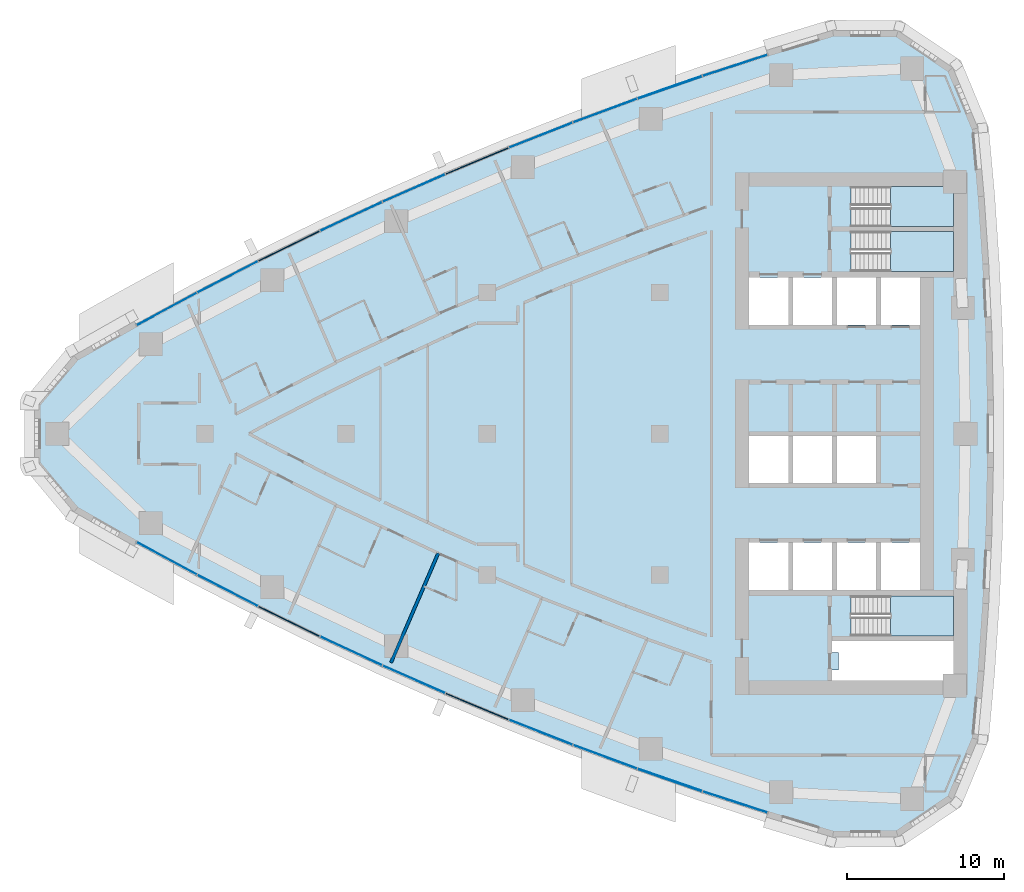
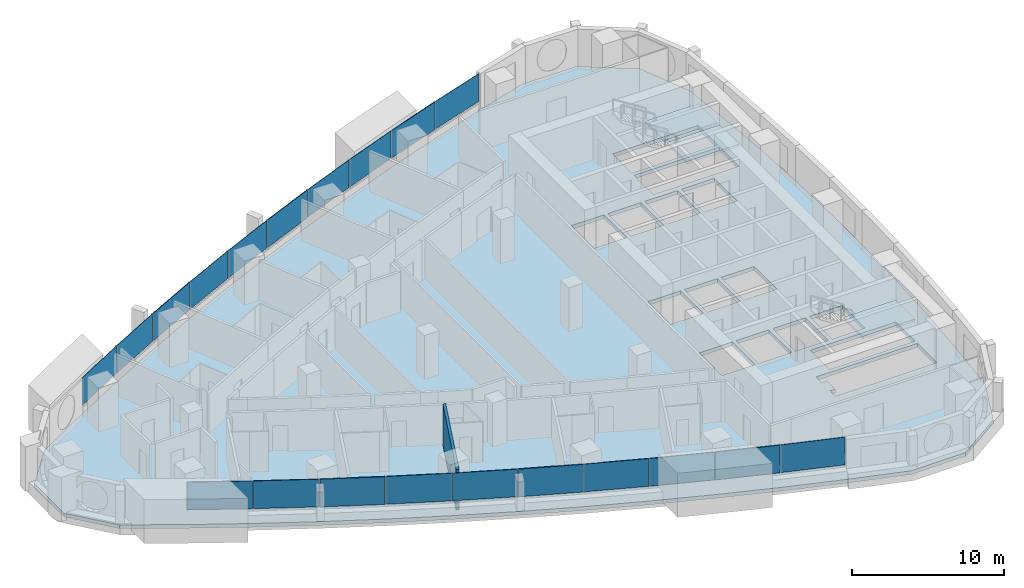
# One storey, part 7 of 17: 20 plates, 4 slabs, 1 wall, 1 opening, 13 elements without a shape of their own.
"""IFC4 building model written with IfcOpenShell, lengths in metres."""

from ifc_helpers import new_model, si_unit, direction, frame, frame_2d, origin, origin_2d, place, context, subcontext, project, spatial, polyline, rectangle, outline, extrude, material, layer, layer_set, type_object, element, aggregate, save


model = new_model("IFC4")

# Units and contexts
model_context = context("Model", 3, precision=1e-05, world=origin(), true_north=direction((0.0, 1.0)))
body_context = subcontext(model_context, "Body", "Model", "MODEL_VIEW")
ifc_project = project(units=[si_unit("LENGTHUNIT", "METRE"), si_unit("AREAUNIT", "SQUARE_METRE"), si_unit("VOLUMEUNIT", "CUBIC_METRE"), si_unit("PLANEANGLEUNIT", "RADIAN"), si_unit("MASSUNIT", "GRAM", prefix="KILO")], contexts=[model_context])

# Site, building, storey
site_placement = place(None, origin())
site = spatial("IfcSite", under=ifc_project, at=site_placement, CompositionType="ELEMENT")
building_placement = place(site_placement, origin())
building = spatial("IfcBuilding", under=site, at=building_placement, Name="Ostrand Prow Hotel Tower", CompositionType="ELEMENT")
storey_placement = place(building_placement, frame((0.0, 0.0, 137.300048828125)))
storey = spatial("IfcBuildingStorey", under=building, at=storey_placement, Name="L33", CompositionType="ELEMENT", Elevation=137.300048828125)

# Curtain wall, plates
ifc_material_1 = material(Name="Insulated glass in bronze anodised frame", Category="glass")
ifc_layer_1 = layer(ifc_material_1, 0.199951171875)
ifc_layer_set_1 = layer_set([ifc_layer_1], Name="Insulated glass in bronze anodised frame")
curtain_wall_type = type_object("IfcCurtainWallType", Name="Strip curtain wall, fritted glass over bronze spandrel", PredefinedType="NOTDEFINED", material=ifc_layer_set_1)
curtain_wall_1_placement = place(storey_placement, origin())
curtain_wall_1 = element("IfcCurtainWall", 1, at=curtain_wall_1_placement, inside=storey, type_object=curtain_wall_type, Name="CW1 run CWS1", PredefinedType="NOTDEFINED")
ifc_material_2 = material(Name="Ceramic-fritted glass", Category="glass")
ifc_layer_2 = layer(ifc_material_2, 0.031982421875)
ifc_layer_set_2 = layer_set([ifc_layer_2], Name="Ceramic-fritted glass")
plate_type_1 = type_object("IfcPlateType", Name="Dot-fritted ceramic glass unit 32 mm", PredefinedType="CURTAIN_PANEL", material=ifc_layer_set_2)
plate_1_placement = place(storey_placement, frame((13.572509765625, -7.951904296875, 1.02001953125), z_axis=(0.0, 0.0, 1.0), x_axis=(0.879773060847, -0.475393901316, 0.0)))
plate_1 = element("IfcPlate", 2, at=plate_1_placement, type_object=plate_type_1, Name="CW1 PN-D panel 1.2", PredefinedType="CURTAIN_PANEL", context=body_context, shape_type="SweptSolid", body=[
    extrude(rectangle(XDim=4.326171875, YDim=0.031982421875, at=origin_2d()), origin(), (0.0, 0.0, 1.0), 2.22998046875),
])
plate_2_placement = place(storey_placement, frame((17.45166015625, -9.998046875, 1.02001953125), z_axis=(0.0, 0.0, 1.0), x_axis=(0.889148164146, -0.457619429434, 0.0)))
plate_2 = element("IfcPlate", 3, at=plate_2_placement, type_object=plate_type_1, Name="CW1 PN-D panel 2.2", PredefinedType="CURTAIN_PANEL", context=body_context, shape_type="SweptSolid", body=[
    extrude(rectangle(XDim=4.326171875, YDim=0.031982421875, at=origin_2d()), origin(), (0.0, 0.0, 1.0), 2.22998046875),
])
aggregate(curtain_wall_1, [plate_1, plate_2])

# Curtain wall, plate
curtain_wall_2_placement = place(storey_placement, origin())
curtain_wall_2 = element("IfcCurtainWall", 4, at=curtain_wall_2_placement, inside=storey, type_object=curtain_wall_type, Name="CW1 run CWS2", PredefinedType="NOTDEFINED")
plate_3_placement = place(storey_placement, frame((25.329833984375, -13.8544921875, 1.02001953125), z_axis=(0.0, 0.0, 1.0), x_axis=(0.906818286337, -0.421521761673, 0.0)))
plate_3 = element("IfcPlate", 5, at=plate_3_placement, type_object=plate_type_1, Name="CW1 PN-D panel 2.2", PredefinedType="CURTAIN_PANEL", context=body_context, shape_type="SweptSolid", body=[
    extrude(rectangle(XDim=4.326171875, YDim=0.031982421875, at=origin_2d()), origin(), (0.0, 0.0, 1.0), 2.22998046875),
])

curtain_wall_3_placement = place(storey_placement, origin())
curtain_wall_3 = element("IfcCurtainWall", 6, at=curtain_wall_3_placement, inside=storey, type_object=curtain_wall_type, Name="CW1 run CWS3", PredefinedType="NOTDEFINED")
plate_4_placement = place(storey_placement, frame((29.3251953125, -15.6630859375, 1.02001953125), z_axis=(0.0, 0.0, 1.0), x_axis=(0.915106105993, -0.403213113347, 0.0)))
plate_4 = element("IfcPlate", 7, at=plate_4_placement, type_object=plate_type_1, Name="CW1 PN-D panel 1.2", PredefinedType="CURTAIN_PANEL", context=body_context, shape_type="SweptSolid", body=[
    extrude(rectangle(XDim=4.326171875, YDim=0.031982421875, at=origin_2d()), origin(), (0.0, 0.0, 1.0), 2.22998046875),
])

# Curtain wall, plates
curtain_wall_4_placement = place(storey_placement, origin())
curtain_wall_4 = element("IfcCurtainWall", 8, at=curtain_wall_4_placement, inside=storey, type_object=curtain_wall_type, Name="CW1 run CWS4", PredefinedType="NOTDEFINED")
plate_5_placement = place(storey_placement, frame((37.42138671875, -19.037841796875, 1.02001953125), z_axis=(0.0, 0.0, 1.0), x_axis=(0.930569089059, -0.366116334636, 0.0)))
plate_5 = element("IfcPlate", 9, at=plate_5_placement, type_object=plate_type_1, Name="CW1 PN-D panel 1.2", PredefinedType="CURTAIN_PANEL", context=body_context, shape_type="SweptSolid", body=[
    extrude(rectangle(XDim=4.326171875, YDim=0.031982421875, at=origin_2d()), origin(), (0.0, 0.0, 1.0), 2.22998046875),
])
plate_6_placement = place(storey_placement, frame((41.518798828125, -20.6025390625, 1.02001953125), z_axis=(0.0, 0.0, 1.0), x_axis=(0.937738678558, -0.347341576459, 0.0)))
plate_6 = element("IfcPlate", 10, at=plate_6_placement, type_object=plate_type_1, Name="CW1 PN-D panel 2.2", PredefinedType="CURTAIN_PANEL", context=body_context, shape_type="SweptSolid", body=[
    extrude(rectangle(XDim=4.326171875, YDim=0.031982421875, at=origin_2d()), origin(), (0.0, 0.0, 1.0), 2.22998046875),
])
aggregate(curtain_wall_4, [plate_5, plate_6])

# Curtain wall, plate
curtain_wall_5_placement = place(storey_placement, origin())
curtain_wall_5 = element("IfcCurtainWall", 11, at=curtain_wall_5_placement, inside=storey, type_object=curtain_wall_type, Name="CW1 run CWS5", PredefinedType="NOTDEFINED")
plate_7_placement = place(storey_placement, frame((49.803466796875, -23.483154296875, 1.02001953125), z_axis=(0.0, 0.0, 1.0), x_axis=(0.950938332153, -0.309380491373, 0.0)))
plate_7 = element("IfcPlate", 12, at=plate_7_placement, type_object=plate_type_1, Name="CW1 PN-D panel 2.2", PredefinedType="CURTAIN_PANEL", context=body_context, shape_type="SweptSolid", body=[
    extrude(rectangle(XDim=4.326171875, YDim=0.031982421875, at=origin_2d()), origin(), (0.0, 0.0, 1.0), 2.22998046875),
])

curtain_wall_6_placement = place(storey_placement, origin())
curtain_wall_6 = element("IfcCurtainWall", 13, at=curtain_wall_6_placement, inside=storey, type_object=curtain_wall_type, Name="CW1 run CWN1", PredefinedType="NOTDEFINED")
plate_8_placement = place(storey_placement, frame((49.803466796875, 23.483154296875, 1.02001953125), z_axis=(0.0, 0.0, 1.0), x_axis=(-0.950938332153, -0.309380491373, 0.0)))
plate_8 = element("IfcPlate", 14, at=plate_8_placement, type_object=plate_type_1, Name="CW1 PN-D panel 1.2", PredefinedType="CURTAIN_PANEL", context=body_context, shape_type="SweptSolid", body=[
    extrude(rectangle(XDim=4.326171875, YDim=0.031982421875, at=origin_2d()), origin(), (0.0, 0.0, 1.0), 2.22998046875),
])

# Curtain wall, plates
curtain_wall_7_placement = place(storey_placement, origin())
curtain_wall_7 = element("IfcCurtainWall", 15, at=curtain_wall_7_placement, inside=storey, type_object=curtain_wall_type, Name="CW1 run CWN2", PredefinedType="NOTDEFINED")
plate_9_placement = place(storey_placement, frame((41.518798828125, 20.6025390625, 1.02001953125), z_axis=(0.0, 0.0, 1.0), x_axis=(-0.937738678558, -0.347341576459, 0.0)))
plate_9 = element("IfcPlate", 16, at=plate_9_placement, type_object=plate_type_1, Name="CW1 PN-D panel 1.2", PredefinedType="CURTAIN_PANEL", context=body_context, shape_type="SweptSolid", body=[
    extrude(rectangle(XDim=4.326171875, YDim=0.031982421875, at=origin_2d()), origin(), (0.0, 0.0, 1.0), 2.22998046875),
])
plate_10_placement = place(storey_placement, frame((37.42138671875, 19.037841796875, 1.02001953125), z_axis=(0.0, 0.0, 1.0), x_axis=(-0.930569089059, -0.366116334636, 0.0)))
plate_10 = element("IfcPlate", 17, at=plate_10_placement, type_object=plate_type_1, Name="CW1 PN-D panel 2.2", PredefinedType="CURTAIN_PANEL", context=body_context, shape_type="SweptSolid", body=[
    extrude(rectangle(XDim=4.326171875, YDim=0.031982421875, at=origin_2d()), origin(), (0.0, 0.0, 1.0), 2.22998046875),
])
aggregate(curtain_wall_7, [plate_9, plate_10])

# Curtain wall, plate
curtain_wall_8_placement = place(storey_placement, origin())
curtain_wall_8 = element("IfcCurtainWall", 18, at=curtain_wall_8_placement, inside=storey, type_object=curtain_wall_type, Name="CW1 run CWN3", PredefinedType="NOTDEFINED")
plate_11_placement = place(storey_placement, frame((29.3251953125, 15.6630859375, 1.02001953125), z_axis=(0.0, 0.0, 1.0), x_axis=(-0.915106105993, -0.403213113347, 0.0)))
plate_11 = element("IfcPlate", 19, at=plate_11_placement, type_object=plate_type_1, Name="CW1 PN-D panel 2.2", PredefinedType="CURTAIN_PANEL", context=body_context, shape_type="SweptSolid", body=[
    extrude(rectangle(XDim=4.326171875, YDim=0.031982421875, at=origin_2d()), origin(), (0.0, 0.0, 1.0), 2.22998046875),
])

curtain_wall_9_placement = place(storey_placement, origin())
curtain_wall_9 = element("IfcCurtainWall", 20, at=curtain_wall_9_placement, inside=storey, type_object=curtain_wall_type, Name="CW1 run CWN4", PredefinedType="NOTDEFINED")
plate_12_placement = place(storey_placement, frame((25.329833984375, 13.8544921875, 1.02001953125), z_axis=(0.0, 0.0, 1.0), x_axis=(-0.906818286337, -0.421521761673, 0.0)))
plate_12 = element("IfcPlate", 21, at=plate_12_placement, type_object=plate_type_1, Name="CW1 PN-D panel 1.2", PredefinedType="CURTAIN_PANEL", context=body_context, shape_type="SweptSolid", body=[
    extrude(rectangle(XDim=4.326171875, YDim=0.031982421875, at=origin_2d()), origin(), (0.0, 0.0, 1.0), 2.22998046875),
])

# Curtain wall, plates
curtain_wall_10_placement = place(storey_placement, origin())
curtain_wall_10 = element("IfcCurtainWall", 22, at=curtain_wall_10_placement, inside=storey, type_object=curtain_wall_type, Name="CW1 run CWN5", PredefinedType="NOTDEFINED")
plate_13_placement = place(storey_placement, frame((17.45166015625, 9.998046875, 1.02001953125), z_axis=(0.0, 0.0, 1.0), x_axis=(-0.889148164146, -0.457619429434, 0.0)))
plate_13 = element("IfcPlate", 23, at=plate_13_placement, type_object=plate_type_1, Name="CW1 PN-D panel 1.2", PredefinedType="CURTAIN_PANEL", context=body_context, shape_type="SweptSolid", body=[
    extrude(rectangle(XDim=4.326171875, YDim=0.031982421875, at=origin_2d()), origin(), (0.0, 0.0, 1.0), 2.22998046875),
])
plate_14_placement = place(storey_placement, frame((13.572509765625, 7.951904296875, 1.02001953125), z_axis=(0.0, 0.0, 1.0), x_axis=(-0.879773060847, -0.475393901316, 0.0)))
plate_14 = element("IfcPlate", 24, at=plate_14_placement, type_object=plate_type_1, Name="CW1 PN-D panel 2.2", PredefinedType="CURTAIN_PANEL", context=body_context, shape_type="SweptSolid", body=[
    extrude(rectangle(XDim=4.326171875, YDim=0.031982421875, at=origin_2d()), origin(), (0.0, 0.0, 1.0), 2.22998046875),
])
aggregate(curtain_wall_10, [plate_13, plate_14])

# Plate
ifc_material_3 = material(Name="Fritted glass in bronze vent frame", Category="glass")
ifc_layer_3 = layer(ifc_material_3, 0.06005859375)
ifc_layer_set_3 = layer_set([ifc_layer_3], Name="Fritted glass in bronze vent frame")
plate_type_2 = type_object("IfcPlateType", Name="Operable vent panel 60 mm", PredefinedType="CURTAIN_PANEL", material=ifc_layer_set_3)
plate_15_placement = place(storey_placement, frame((21.371337890625, -11.9658203125, 1.02001953125), z_axis=(0.0, 0.0, 1.0), x_axis=(0.898164975061, -0.439658592061, 0.0)))
plate_15 = element("IfcPlate", 25, at=plate_15_placement, type_object=plate_type_2, Name="CW1 PN-O panel 1.2", PredefinedType="CURTAIN_PANEL", context=body_context, shape_type="SweptSolid", body=[
    extrude(rectangle(XDim=4.326171875, YDim=0.06005859375, at=origin_2d()), origin(), (0.0, 0.0, 1.0), 2.22998046875),
])

aggregate(curtain_wall_2, [plate_15, plate_3])

plate_16_placement = place(storey_placement, frame((33.3564453125, -17.39111328125, 1.02001953125), z_axis=(0.0, 0.0, 1.0), x_axis=(0.92302364777, -0.384743220418, 0.0)))
plate_16 = element("IfcPlate", 26, at=plate_16_placement, type_object=plate_type_2, Name="CW1 PN-O panel 2.2", PredefinedType="CURTAIN_PANEL", context=body_context, shape_type="SweptSolid", body=[
    extrude(rectangle(XDim=4.326171875, YDim=0.06005859375, at=origin_2d()), origin(), (0.0, 0.0, 1.0), 2.22998046875),
])

aggregate(curtain_wall_3, [plate_4, plate_16])

plate_17_placement = place(storey_placement, frame((45.646484375, -22.08447265625, 1.02001953125), z_axis=(0.0, 0.0, 1.0), x_axis=(0.944528947293, -0.328428177424, 0.0)))
plate_17 = element("IfcPlate", 27, at=plate_17_placement, type_object=plate_type_2, Name="CW1 PN-O panel 1.2", PredefinedType="CURTAIN_PANEL", context=body_context, shape_type="SweptSolid", body=[
    extrude(rectangle(XDim=4.326171875, YDim=0.06005859375, at=origin_2d()), origin(), (0.0, 0.0, 1.0), 2.22998046875),
])

aggregate(curtain_wall_5, [plate_17, plate_7])

plate_18_placement = place(storey_placement, frame((45.646484375, 22.08447265625, 1.02001953125), z_axis=(0.0, 0.0, 1.0), x_axis=(-0.944528947293, -0.328428177424, 0.0)))
plate_18 = element("IfcPlate", 28, at=plate_18_placement, type_object=plate_type_2, Name="CW1 PN-O panel 2.2", PredefinedType="CURTAIN_PANEL", context=body_context, shape_type="SweptSolid", body=[
    extrude(rectangle(XDim=4.326171875, YDim=0.06005859375, at=origin_2d()), origin(), (0.0, 0.0, 1.0), 2.22998046875),
])

aggregate(curtain_wall_6, [plate_8, plate_18])

plate_19_placement = place(storey_placement, frame((33.3564453125, 17.39111328125, 1.02001953125), z_axis=(0.0, 0.0, 1.0), x_axis=(-0.92302364777, -0.384743220418, 0.0)))
plate_19 = element("IfcPlate", 29, at=plate_19_placement, type_object=plate_type_2, Name="CW1 PN-O panel 1.2", PredefinedType="CURTAIN_PANEL", context=body_context, shape_type="SweptSolid", body=[
    extrude(rectangle(XDim=4.326171875, YDim=0.06005859375, at=origin_2d()), origin(), (0.0, 0.0, 1.0), 2.22998046875),
])

aggregate(curtain_wall_8, [plate_19, plate_11])

plate_20_placement = place(storey_placement, frame((21.371337890625, 11.9658203125, 1.02001953125), z_axis=(0.0, 0.0, 1.0), x_axis=(-0.898164975061, -0.439658592061, 0.0)))
plate_20 = element("IfcPlate", 30, at=plate_20_placement, type_object=plate_type_2, Name="CW1 PN-O panel 2.2", PredefinedType="CURTAIN_PANEL", context=body_context, shape_type="SweptSolid", body=[
    extrude(rectangle(XDim=4.326171875, YDim=0.06005859375, at=origin_2d()), origin(), (0.0, 0.0, 1.0), 2.22998046875),
])

aggregate(curtain_wall_9, [plate_12, plate_20])

# Slab, opening
ifc_material_4 = material(Name="Concrete C40/50", Category="concrete")
ifc_layer_4 = layer(ifc_material_4, 0.300048828125)
ifc_layer_set_4 = layer_set([ifc_layer_4], Name="Concrete C40/50")
slab_type_1 = type_object("IfcSlabType", Name="PT flat plate 300 C40/50", PredefinedType="FLOOR", material=ifc_layer_set_4)
slab_1_placement = place(storey_placement, frame((0.0, 0.0, -0.300048828125)))
slab_1 = element("IfcSlab", 31, at=slab_1_placement, inside=storey, type_object=slab_type_1, Name="Floor slab L33-1", PredefinedType="FLOOR", context=body_context, shape_type="SweptSolid", body=[
    extrude(outline(polyline([(7.658203125, 4.952880859375), (11.51611328125, 7.138916015625), (15.37939453125, 9.2265625), (19.283935546875, 11.236083984375), (23.228271484375, 13.166748046875), (27.210205078125, 15.017822265625), (31.22900390625, 16.788330078125), (35.2822265625, 18.47802734375), (39.36865234375, 20.085693359375), (43.486572265625, 21.611083984375), (47.63427734375, 23.05322265625), (51.810302734375, 24.411865234375), (56.046630859375, 25.696533203125), (60.193115234375, 25.6640625), (63.664306640625, 23.328125), (65.256103515625, 19.498779296875), (65.650390625, 15.148681640625), (65.944091796875, 10.825927734375), (66.139892578125, 6.497802734375), (66.23779296875, 2.166259765625), (66.23779296875, -2.166259765625), (66.139892578125, -6.497802734375), (65.944091796875, -10.825927734375), (65.650390625, -15.148681640625), (65.256103515625, -19.498779296875), (63.664306640625, -23.328125), (60.193115234375, -25.6640625), (56.046630859375, -25.696533203125), (51.810302734375, -24.411865234375), (47.63427734375, -23.05322265625), (43.486572265625, -21.611083984375), (39.36865234375, -20.085693359375), (35.2822265625, -18.47802734375), (31.22900390625, -16.788330078125), (27.210205078125, -15.017822265625), (23.228271484375, -13.166748046875), (19.283935546875, -11.236083984375), (15.37939453125, -9.2265625), (11.51611328125, -7.138916015625), (7.658203125, -4.952880859375), (5.16064453125, -1.968505859375), (5.16064453125, 1.968505859375), (7.658203125, 4.952880859375)]), holes=[polyline([(50.699951171875, 6.949951171875), (53.199951171875, 6.949951171875), (53.199951171875, 9.949951171875), (50.699951171875, 9.949951171875), (50.699951171875, 6.949951171875)]), polyline([(53.5, 6.949951171875), (56.0, 6.949951171875), (56.0, 9.949951171875), (53.5, 9.949951171875), (53.5, 6.949951171875)]), polyline([(56.300048828125, 6.949951171875), (58.800048828125, 6.949951171875), (58.800048828125, 9.949951171875), (56.300048828125, 9.949951171875), (56.300048828125, 6.949951171875)]), polyline([(59.10009765625, 6.949951171875), (61.60009765625, 6.949951171875), (61.60009765625, 9.949951171875), (59.10009765625, 9.949951171875), (59.10009765625, 6.949951171875)]), polyline([(50.699951171875, -3.14990234375), (53.199951171875, -3.14990234375), (53.199951171875, -0.14990234375), (50.699951171875, -0.14990234375), (50.699951171875, -3.14990234375)]), polyline([(53.5, -3.14990234375), (56.0, -3.14990234375), (56.0, -0.14990234375), (53.5, -0.14990234375), (53.5, -3.14990234375)]), polyline([(56.300048828125, -3.14990234375), (58.800048828125, -3.14990234375), (58.800048828125, -0.14990234375), (56.300048828125, -0.14990234375), (56.300048828125, -3.14990234375)]), polyline([(50.699951171875, -9.949951171875), (53.199951171875, -9.949951171875), (53.199951171875, -6.949951171875), (50.699951171875, -6.949951171875), (50.699951171875, -9.949951171875)]), polyline([(53.5, -9.949951171875), (56.0, -9.949951171875), (56.0, -6.949951171875), (53.5, -6.949951171875), (53.5, -9.949951171875)]), polyline([(56.300048828125, -9.949951171875), (58.800048828125, -9.949951171875), (58.800048828125, -6.949951171875), (56.300048828125, -6.949951171875), (56.300048828125, -9.949951171875)]), polyline([(59.10009765625, -9.949951171875), (61.60009765625, -9.949951171875), (61.60009765625, -6.949951171875), (59.10009765625, -6.949951171875), (59.10009765625, -9.949951171875)]), polyline([(57.200927734375, 10.35107421875), (57.200927734375, 12.89892578125), (63.718994140625, 12.89892578125), (63.718994140625, 10.35107421875), (57.200927734375, 10.35107421875)]), polyline([(57.200927734375, 13.200927734375), (57.200927734375, 15.7490234375), (63.718994140625, 15.7490234375), (63.718994140625, 13.200927734375), (57.200927734375, 13.200927734375)]), polyline([(57.200927734375, -12.89892578125), (57.200927734375, -10.35107421875), (63.718994140625, -10.35107421875), (63.718994140625, -12.89892578125), (57.200927734375, -12.89892578125)]), polyline([(56.0, -13.199951171875), (63.719970703125, -13.199951171875), (63.719970703125, -15.75), (56.0, -15.75), (56.0, -15.050048828125), (56.39990234375, -15.050048828125), (56.39990234375, -13.949951171875), (56.0, -13.949951171875), (56.0, -13.199951171875)])]), origin(), (0.0, 0.0, 1.0), 0.300048828125),
])
opening_placement = place(slab_1_placement, origin())
element("IfcOpeningElement", 32, at=opening_placement, cuts=slab_1, Name="Shaft opening 1", PredefinedType="OPENING", context=body_context, shape_type="SweptSolid", body=[
    extrude(outline(polyline([(56.0, -13.199951171875), (63.719970703125, -13.199951171875), (63.719970703125, -15.75), (56.0, -15.75), (56.0, -15.050048828125), (56.39990234375, -15.050048828125), (56.39990234375, -13.949951171875), (56.0, -13.949951171875), (56.0, -13.199951171875)])), origin(), (0.0, 0.0, 1.0), 0.300048828125),
])

# Stair, slab
ifc_material_5 = material(Name="Concrete C40/50", Category="concrete")
stair_type = type_object("IfcStairType", Name="Exit stair 1200 upper zone", PredefinedType="HALF_TURN_STAIR", material=ifc_material_5)
stair_1_placement = place(storey_placement, origin())
stair_1 = element("IfcStair", 33, at=stair_1_placement, inside=storey, type_object=stair_type, Name="L33 ST1C", PredefinedType="HALF_TURN_STAIR")
ifc_material_6 = material(Name="Concrete C40/50", Category="concrete")
ifc_layer_5 = layer(ifc_material_6, 0.199951171875)
ifc_layer_set_5 = layer_set([ifc_layer_5], Name="Concrete C40/50")
slab_type_2 = type_object("IfcSlabType", Name="Stair landing 200 concrete", PredefinedType="LANDING", material=ifc_layer_set_5)
slab_2_placement = place(storey_placement, frame((0.0, 0.0, 1.574951171875)))
slab_2 = element("IfcSlab", 34, at=slab_2_placement, type_object=slab_type_2, Name="ST1C landing 1", PredefinedType="LANDING", context=body_context, shape_type="SweptSolid", body=[
    extrude(outline(polyline([(59.719970703125, 10.35009765625), (63.719970703125, 10.35009765625), (63.719970703125, 12.89990234375), (59.719970703125, 12.89990234375), (59.719970703125, 10.35009765625)])), origin(), (0.0, 0.0, 1.0), 0.199951171875),
])
aggregate(stair_1, [slab_2])

stair_2_placement = place(storey_placement, origin())
stair_2 = element("IfcStair", 35, at=stair_2_placement, inside=storey, type_object=stair_type, Name="L33 ST3C", PredefinedType="HALF_TURN_STAIR")
slab_3_placement = place(storey_placement, frame((0.0, 0.0, 1.574951171875)))
slab_3 = element("IfcSlab", 36, at=slab_3_placement, type_object=slab_type_2, Name="ST3C landing 1", PredefinedType="LANDING", context=body_context, shape_type="SweptSolid", body=[
    extrude(outline(polyline([(59.719970703125, 13.199951171875), (63.719970703125, 13.199951171875), (63.719970703125, 15.75), (59.719970703125, 15.75), (59.719970703125, 13.199951171875)])), origin(), (0.0, 0.0, 1.0), 0.199951171875),
])
aggregate(stair_2, [slab_3])

stair_3_placement = place(storey_placement, origin())
stair_3 = element("IfcStair", 37, at=stair_3_placement, inside=storey, type_object=stair_type, Name="L33 ST2C", PredefinedType="HALF_TURN_STAIR")
slab_4_placement = place(storey_placement, frame((0.0, 0.0, 1.574951171875)))
slab_4 = element("IfcSlab", 38, at=slab_4_placement, type_object=slab_type_2, Name="ST2C landing 1", PredefinedType="LANDING", context=body_context, shape_type="SweptSolid", body=[
    extrude(outline(polyline([(59.719970703125, -12.89990234375), (63.719970703125, -12.89990234375), (63.719970703125, -10.35009765625), (59.719970703125, -10.35009765625), (59.719970703125, -12.89990234375)])), origin(), (0.0, 0.0, 1.0), 0.199951171875),
])
aggregate(stair_3, [slab_4])

# Wall
ifc_material_7 = material(Name="Plasterboard partition")
ifc_layer_6 = layer(ifc_material_7, 0.199951171875)
ifc_layer_set_6 = layer_set([ifc_layer_6], Name="Plasterboard partition")
wall_type = type_object("IfcWallType", Name="Partition 200 key partition", PredefinedType="PARTITIONING", material=ifc_layer_set_6)
wall_placement = place(storey_placement, frame((27.870361328125, -14.598388671875, 0.0), z_axis=(0.0, 0.0, 1.0), x_axis=(0.395976934703, 0.91826045716, 0.0)))
element("IfcWall", 39, at=wall_placement, inside=storey, type_object=wall_type, Name="KEY PARTITION", PredefinedType="PARTITIONING", context=body_context, shape_type="SweptSolid", body=[
    extrude(rectangle(XDim=7.600341796875, YDim=0.199951171875, at=frame_2d((3.80029296875, 0.0))), origin(), (0.0, 0.0, 1.0), 3.25),
])

save(model, "model.ifc")
